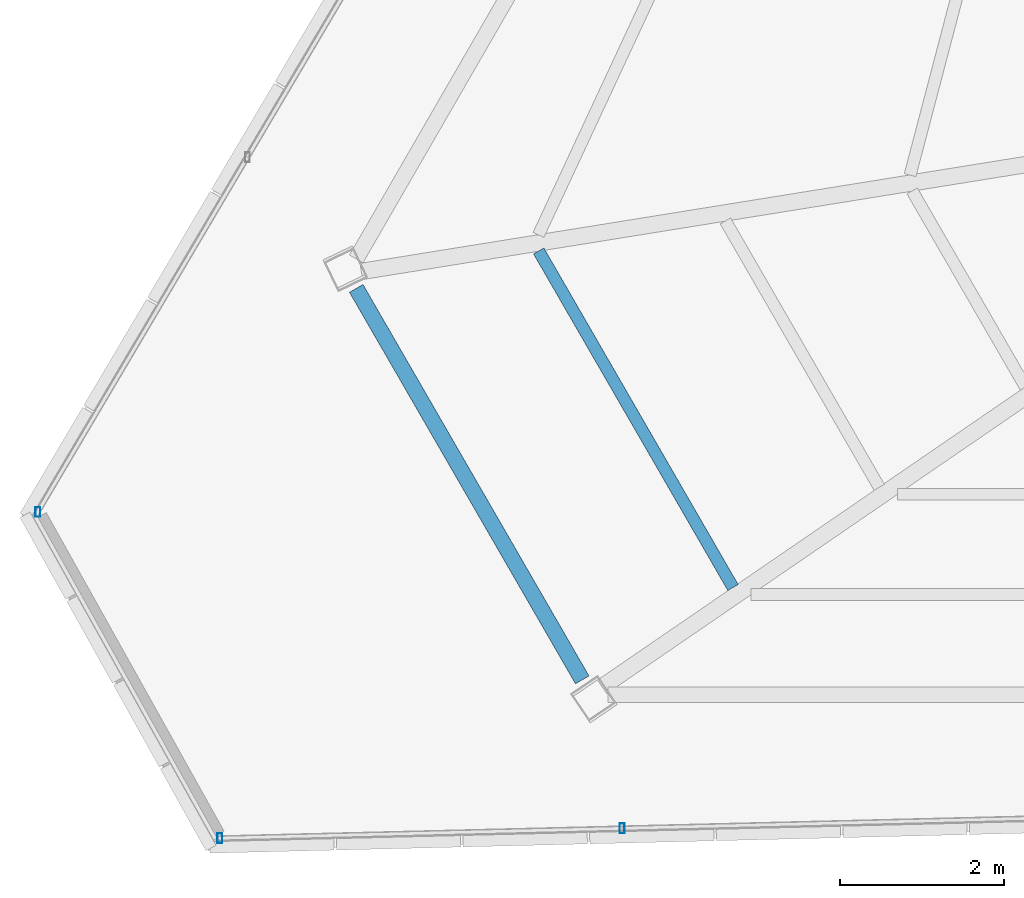
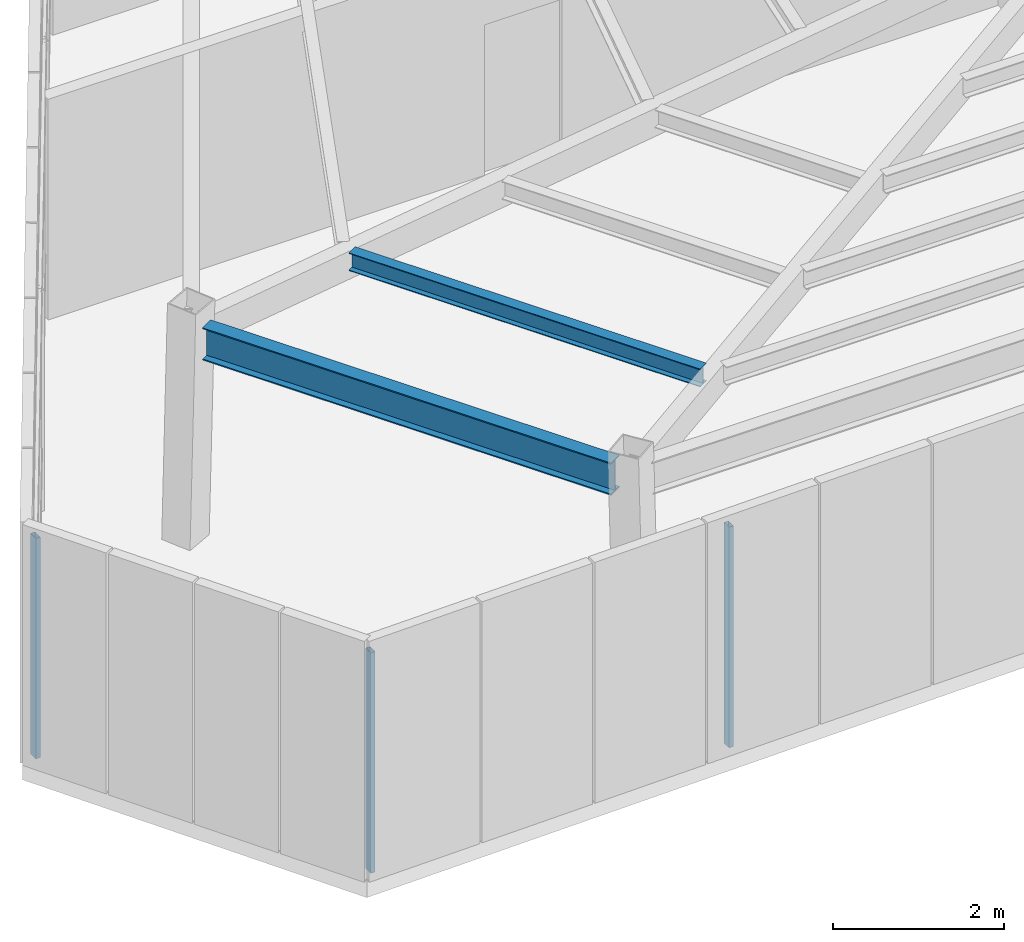
# One storey, part 3 of 44: 3 members, 2 beams, 2 elements without a shape of their own.
"""IFC4 building model written with IfcOpenShell, lengths in metres."""

import ifcopenshell
import ifcopenshell.guid

model = None  # the IFC model being written
_history = None  # IfcOwnerHistory: only IFC2X3 demands one
_inside = {}  # id of a spatial element -> (the spatial element, [elements in it])
_under = {}  # id of a project, library or spatial element -> (it, [spatial elements below it])
_declared = {}  # id of a project -> (the project, [libraries it declares])
_typed = {}  # id of a type object -> (the type object, [elements of that type])
_made_of = {}  # id of a material, layer set ... -> (it, [elements and type objects made of it])


def new_model(schema):
    """Start an empty IFC model of exactly this schema.

    Asked for "IFC4X3", IfcOpenShell would pick the latest addendum, in which some entities
    have other attributes; the version numbers below select the first issue.
    IFC2X3 requires an IfcOwnerHistory on every rooted entity: one is made here for all.
    """
    global model, _history
    if schema == "IFC4X3":
        model = ifcopenshell.file(schema_version=(4, 3, 0, 0))
    else:
        model = ifcopenshell.file(schema=schema)
    _inside.clear()
    _under.clear()
    _declared.clear()
    _typed.clear()
    _made_of.clear()
    _history = None
    if model.schema == "IFC2X3":
        org = make("IfcOrganization", Name="unknown")
        user = make(
            "IfcPersonAndOrganization",
            ThePerson=make("IfcPerson", FamilyName="unknown"),
            TheOrganization=org,
        )
        app = make(
            "IfcApplication",
            ApplicationDeveloper=org,
            Version="unknown",
            ApplicationFullName="unknown",
            ApplicationIdentifier="unknown",
        )
        _history = make(
            "IfcOwnerHistory",
            OwningUser=user,
            OwningApplication=app,
            ChangeAction="ADDED",
            CreationDate=0,
        )
    return model


def make(cls, **values):
    """One entity of the class cls with the attributes given. An attribute that is None is left unset."""
    return model.create_entity(
        cls, **{name: value for name, value in values.items() if value is not None}
    )


def rooted(cls, **values):
    """An entity with a GlobalId (a new one), such as an element, a storey or a relation."""
    return make(cls, GlobalId=ifcopenshell.guid.new(), OwnerHistory=_history, **values)


def si_unit(unit_type, name, prefix=None):
    """IfcSIUnit, for example si_unit("LENGTHUNIT", "METRE", prefix="MILLI")."""
    return make("IfcSIUnit", UnitType=unit_type, Prefix=prefix, Name=name)


def assignment(units):
    """IfcUnitAssignment: the units of a project."""
    return None if units is None else make("IfcUnitAssignment", Units=units)


def point(xyz):
    """IfcCartesianPoint."""
    return None if xyz is None else make("IfcCartesianPoint", Coordinates=xyz)


def direction(xyz):
    """IfcDirection."""
    return None if xyz is None else make("IfcDirection", DirectionRatios=xyz)


def frame(location, z_axis=None, x_axis=None):
    """IfcAxis2Placement3D, a coordinate frame: its origin and axes. An axis left out is left unset."""
    return make(
        "IfcAxis2Placement3D",
        Location=point(location),
        Axis=direction(z_axis),
        RefDirection=direction(x_axis),
    )


def frame_2d(location, x_axis=None):
    """IfcAxis2Placement2D, a coordinate frame in the plane: its origin and x axis."""
    return make(
        "IfcAxis2Placement2D", Location=point(location), RefDirection=direction(x_axis)
    )


def origin():
    """The frame at (0, 0, 0) with its axes left unset."""
    return frame((0.0, 0.0, 0.0))


def origin_2d():
    """The frame at (0, 0) in the plane with its x axis left unset."""
    return frame_2d((0.0, 0.0))


def place(relative_to, where):
    """IfcLocalPlacement: puts the frame where relative to a parent placement (None: the world)."""
    return make(
        "IfcLocalPlacement", PlacementRelTo=relative_to, RelativePlacement=where
    )


def context(
    kind, dimensions, precision=None, world=None, true_north=None, identifier=None
):
    """IfcGeometricRepresentationContext, for example the 3D "Model" context."""
    return make(
        "IfcGeometricRepresentationContext",
        ContextIdentifier=identifier,
        ContextType=kind,
        CoordinateSpaceDimension=dimensions,
        Precision=precision,
        WorldCoordinateSystem=world,
        TrueNorth=true_north,
    )


def subcontext(parent, identifier, kind, view, scale=None):
    """IfcGeometricRepresentationSubContext, for example "Body" below "Model"."""
    return make(
        "IfcGeometricRepresentationSubContext",
        ContextIdentifier=identifier,
        ContextType=kind,
        ParentContext=parent,
        TargetScale=scale,
        TargetView=view,
    )


def project(units=None, contexts=None):
    """IfcProject with its units and contexts."""
    return rooted(
        "IfcProject",
        Name="project",
        RepresentationContexts=contexts,
        UnitsInContext=assignment(units),
    )


def spatial(cls, under=None, at=None, **own):
    """A site, building, storey or space (cls), placed at a placement, below another one or the project."""
    s = rooted(cls, ObjectPlacement=at, **own)
    if under is not None:
        _under.setdefault(under.id(), (under, []))[1].append(s)
    return s


def profile(cls, at=None, kind="AREA", **sizes):
    """A parametric profile (cls). Its sizes go by their IFC names, for example OverallWidth=200.0."""
    return make(cls, ProfileType=kind, Position=at, **sizes)


def hollow_rectangle(**sizes):
    """IfcRectangleHollowProfileDef."""
    return profile("IfcRectangleHollowProfileDef", **sizes)


def i_section(**sizes):
    """IfcIShapeProfileDef."""
    return profile("IfcIShapeProfileDef", **sizes)


def extrude(swept, where, along, depth):
    """IfcExtrudedAreaSolid: the profile swept, set in the frame where, extruded along a direction by depth."""
    return make(
        "IfcExtrudedAreaSolid",
        SweptArea=swept,
        Position=where,
        ExtrudedDirection=direction(along),
        Depth=depth,
    )


def shape(context_of_items, identifier, shape_type, items):
    """IfcShapeRepresentation: the items that make up one representation, for example the "Body"."""
    return make(
        "IfcShapeRepresentation",
        ContextOfItems=context_of_items,
        RepresentationIdentifier=identifier,
        RepresentationType=shape_type,
        Items=items,
    )


def source(mapping_origin, context_of_items, identifier, shape_type, items):
    """IfcRepresentationMap: a shape defined once, which mapped items show again and again."""
    return make(
        "IfcRepresentationMap",
        MappingOrigin=mapping_origin,
        MappedRepresentation=shape(context_of_items, identifier, shape_type, items),
    )


def transform(
    local_origin,
    x_axis=None,
    y_axis=None,
    z_axis=None,
    scale=None,
    scale2=None,
    scale3=None,
    uniform=True,
):
    """IfcCartesianTransformationOperator3D, or its non-uniform kind. x_axis, y_axis, z_axis: its Axis1, 2, 3."""
    if uniform:
        return make(
            "IfcCartesianTransformationOperator3D",
            Axis1=direction(x_axis),
            Axis2=direction(y_axis),
            LocalOrigin=point(local_origin),
            Scale=scale,
            Axis3=direction(z_axis),
        )
    return make(
        "IfcCartesianTransformationOperator3DnonUniform",
        Axis1=direction(x_axis),
        Axis2=direction(y_axis),
        LocalOrigin=point(local_origin),
        Scale=scale,
        Axis3=direction(z_axis),
        Scale2=scale2,
        Scale3=scale3,
    )


def mapped(mapping_source, mapping_target):
    """IfcMappedItem: shows the shape of a source again, moved by a transform."""
    return make(
        "IfcMappedItem", MappingSource=mapping_source, MappingTarget=mapping_target
    )


def material(Name=None, Category=None):
    """IfcMaterial."""
    return make("IfcMaterial", Name=Name, Category=Category)


def material_profile(
    of_material, cross_section, Name=None, Category=None, Priority=None
):
    """IfcMaterialProfile: a cross section and its material."""
    return make(
        "IfcMaterialProfile",
        Name=Name,
        Material=of_material,
        Profile=cross_section,
        Priority=Priority,
        Category=Category,
    )


def profile_set(profiles, Name=None, composite=None):
    """IfcMaterialProfileSet."""
    return make(
        "IfcMaterialProfileSet",
        Name=Name,
        MaterialProfiles=profiles,
        CompositeProfile=composite,
    )


def made_of(thing, what):
    """Note that an element or type object is made of a material, layer set ...; save() writes the relation."""
    if what is not None:
        _made_of.setdefault(what.id(), (what, []))[1].append(thing)
    return thing


def type_object(cls, material=None, **own):
    """A type object (cls), such as IfcWallType, which elements share."""
    return made_of(rooted(cls, **own), material)


def type_shapes(of_type, sources):
    """Give a type object the sources (RepresentationMaps) that its elements show as mapped items."""
    of_type.RepresentationMaps = sources


def element(
    cls,
    number,
    at=None,
    inside=None,
    cuts=None,
    type_object=None,
    material=None,
    context=None,
    identifier="Body",
    shape_type=None,
    held_by="IfcProductDefinitionShape",
    body=None,
    shapes=None,
    **own,
):
    """One element of the class cls, such as IfcWall. Its Tag is "e" and its number.

    at: its placement. inside: the storey or other place that contains it. cuts: it is an
    opening in that element (IfcRelVoidsElement). A single representation is given by context,
    identifier, shape_type and body (its items); several are given by shapes. held_by: the class
    of the entity that holds the representations. save() writes the other relations.
    """
    e = rooted(cls, Tag="e%d" % number, ObjectPlacement=at, **own)
    if body is not None:
        shapes = [shape(context, identifier, shape_type, body)]
    if shapes is not None:
        e.Representation = make(held_by, Representations=shapes)
    if inside is not None:
        _inside.setdefault(inside.id(), (inside, []))[1].append(e)
    if cuts is not None:
        rooted(
            "IfcRelVoidsElement", RelatingBuildingElement=cuts, RelatedOpeningElement=e
        )
    if type_object is not None:
        _typed.setdefault(type_object.id(), (type_object, []))[1].append(e)
    return made_of(e, material)


def aggregate(whole, parts):
    """IfcRelAggregates: a whole, such as a stair, and the parts it consists of."""
    return rooted("IfcRelAggregates", RelatingObject=whole, RelatedObjects=parts)


def save(model, path):
    """Write the relations noted so far, then the file.

    IfcRelAggregates (storeys below a building ...), IfcRelContainedInSpatialStructure (elements
    in a storey), IfcRelDefinesByType, IfcRelAssociatesMaterial and IfcRelDeclares: one each for
    every whole, place, type object, material and project.
    """
    for whole, parts in _under.values():
        aggregate(whole, parts)
    for where, things in _inside.values():
        rooted(
            "IfcRelContainedInSpatialStructure",
            RelatedElements=things,
            RelatingStructure=where,
        )
    for kind, things in _typed.values():
        rooted("IfcRelDefinesByType", RelatedObjects=things, RelatingType=kind)
    for what, things in _made_of.values():
        rooted("IfcRelAssociatesMaterial", RelatedObjects=things, RelatingMaterial=what)
    for by, libraries in _declared.values():
        rooted("IfcRelDeclares", RelatingContext=by, RelatedDefinitions=libraries)
    model.write(path)


model = new_model("IFC4")

# Units and contexts
model_context = context("Model", 3, precision=1e-05, world=origin(), true_north=direction((0.0, 1.0)))
body_context = subcontext(model_context, "Body", "Model", "MODEL_VIEW")
ifc_project = project(units=[si_unit("LENGTHUNIT", "METRE"), si_unit("AREAUNIT", "SQUARE_METRE"), si_unit("VOLUMEUNIT", "CUBIC_METRE"), si_unit("PLANEANGLEUNIT", "RADIAN"), si_unit("MASSUNIT", "GRAM", prefix="KILO")], contexts=[model_context])

# Site, building, storey
site_placement = place(None, origin())
site = spatial("IfcSite", under=ifc_project, at=site_placement, CompositionType="ELEMENT")
building_placement = place(site_placement, origin())
building = spatial("IfcBuilding", under=site, at=building_placement, Name="Caelisora Broadcast Tower", CompositionType="ELEMENT")
storey_placement = place(building_placement, frame((0.0, 0.0, 289.800048828125)))
storey = spatial("IfcBuildingStorey", under=building, at=storey_placement, Name="L76", CompositionType="ELEMENT", Elevation=289.800048828125)

# Beams
ifc_material_1 = material(Name="Steel Grade 350 (AS/NZS 3679.1)", Category="steel")
ifc_material_profile_1 = material_profile(ifc_material_1, i_section(OverallWidth=0.19091796875, OverallDepth=0.46044921875, WebThickness=0.010009765625, FlangeThickness=0.01611328125, at=origin_2d()), Name="Steel Grade 350 (AS/NZS 3679.1)")
ifc_profile_set_1 = profile_set([ifc_material_profile_1], Name="Steel Grade 350 (AS/NZS 3679.1)")
beam_type_1 = type_object("IfcBeamType", Name="PG06", PredefinedType="BEAM", material=ifc_profile_set_1)
shared_shape_1 = source(origin(), body_context, "Body", "SweptSolid", [
    extrude(i_section(OverallWidth=0.19091796875, OverallDepth=0.46044921875, WebThickness=0.010009765625, FlangeThickness=0.01611328125, at=origin_2d()), origin(), (0.0, 0.0, 1.0), 5.517822265625),
])
type_shapes(beam_type_1, [shared_shape_1])
beam_1_placement = place(storey_placement, frame((16.927490234375, 15.01953125, 2.919677734375), z_axis=(0.500017361172, -0.866015380075, 0.0), x_axis=(0.866015380075, 0.500017361172, 0.0)))
element("IfcBeam", 1, at=beam_1_placement, inside=storey, type_object=beam_type_1, Name="L76 beam PG06", PredefinedType="BEAM", context=body_context, shape_type="MappedRepresentation", body=[
    mapped(shared_shape_1, transform((0.0, 0.0, 0.0), scale=1.0)),
])
ifc_material_profile_2 = material_profile(ifc_material_1, i_section(OverallWidth=0.14599609375, OverallDepth=0.256103515625, WebThickness=0.00634765625, FlangeThickness=0.010986328125, at=origin_2d()), Name="Steel Grade 350 (AS/NZS 3679.1)")
ifc_profile_set_2 = profile_set([ifc_material_profile_2], Name="Steel Grade 350 (AS/NZS 3679.1)")
beam_type_2 = type_object("IfcBeamType", Name="SB04", PredefinedType="JOIST", material=ifc_profile_set_2)
shared_shape_2 = source(origin(), body_context, "Body", "SweptSolid", [
    extrude(i_section(OverallWidth=0.14599609375, OverallDepth=0.256103515625, WebThickness=0.00634765625, FlangeThickness=0.010986328125, at=origin_2d()), origin(), (0.0, 0.0, 1.0), 4.743408203125),
])
type_shapes(beam_type_2, [shared_shape_2])
beam_2_placement = place(storey_placement, frame((19.155029296875, 15.476318359375, 3.02197265625), z_axis=(0.500019469389, -0.866014162835, 0.0), x_axis=(0.866014162835, 0.500019469389, 0.0)))
element("IfcBeam", 2, at=beam_2_placement, inside=storey, type_object=beam_type_2, Name="L76 beam SB04", PredefinedType="JOIST", context=body_context, shape_type="MappedRepresentation", body=[
    mapped(shared_shape_2, transform((0.0, 0.0, 0.0), scale=1.0)),
])

# Curtain wall, members
ifc_material_2 = material(Name="Unitised Aluminium Insulated Shadow-Box Spandrel Curtain Wall", Category="aluminium")
curtain_wall_type = type_object("IfcCurtainWallType", Name="CW-SP3", PredefinedType="NOTDEFINED", material=ifc_material_2)
curtain_wall_1_placement = place(storey_placement, origin())
curtain_wall_1 = element("IfcCurtainWall", 3, at=curtain_wall_1_placement, inside=storey, type_object=curtain_wall_type, Name="L76 curtain wall CW-SP3", PredefinedType="NOTDEFINED")
ifc_material_3 = material(Name="Aluminium 6063-T6 Anodised Terracotta Bronze", Category="aluminium")
ifc_material_profile_3 = material_profile(ifc_material_3, hollow_rectangle(XDim=0.06005859375, YDim=0.1201171875, WallThickness=0.0029296875, at=origin_2d()), Name="Aluminium 6063-T6 Anodised Terracotta Bronze")
ifc_profile_set_3 = profile_set([ifc_material_profile_3], Name="Aluminium 6063-T6 Anodised Terracotta Bronze")
member_type = type_object("IfcMemberType", Name="CWM-04", PredefinedType="MULLION", material=ifc_profile_set_3)
shared_shape_3 = source(origin(), body_context, "Body", "SweptSolid", [
    extrude(hollow_rectangle(XDim=0.06005859375, YDim=0.1201171875, WallThickness=0.0029296875, at=origin_2d()), origin(), (0.0, 0.0, 1.0), 3.14990234375),
])
type_shapes(member_type, [shared_shape_3])
member_1_placement = place(storey_placement, frame((20.173095703125, 8.4287109375, 0.0), z_axis=(0.0, 0.0, 1.0), x_axis=(1.0, 0.0, 0.0)))
member_1 = element("IfcMember", 4, at=member_1_placement, type_object=member_type, Name="L76-CW-B07 mullion #2", PredefinedType="MULLION", context=body_context, shape_type="MappedRepresentation", body=[
    mapped(shared_shape_3, transform((0.0, 0.0, 0.0), scale=1.0)),
])
member_2_placement = place(storey_placement, frame((15.263916015625, 8.30810546875, 0.0), z_axis=(0.0, 0.0, 1.0), x_axis=(1.0, 0.0, 0.0)))
member_2 = element("IfcMember", 5, at=member_2_placement, type_object=member_type, Name="L76-CW-B07 mullion #3", PredefinedType="MULLION", context=body_context, shape_type="MappedRepresentation", body=[
    mapped(shared_shape_3, transform((0.0, 0.0, 0.0), scale=1.0)),
])
aggregate(curtain_wall_1, [member_1, member_2])

# Curtain wall, member
curtain_wall_2_placement = place(storey_placement, origin())
curtain_wall_2 = element("IfcCurtainWall", 6, at=curtain_wall_2_placement, inside=storey, type_object=curtain_wall_type, Name="L76 curtain wall CW-SP3", PredefinedType="NOTDEFINED")
member_3_placement = place(storey_placement, frame((13.040283203125, 12.2900390625, 0.0), z_axis=(0.0, 0.0, 1.0), x_axis=(1.0, 0.0, 0.0)))
member_3 = element("IfcMember", 7, at=member_3_placement, type_object=member_type, Name="L76-CW-B09 mullion #0", PredefinedType="MULLION", context=body_context, shape_type="MappedRepresentation", body=[
    mapped(shared_shape_3, transform((0.0, 0.0, 0.0), scale=1.0)),
])
aggregate(curtain_wall_2, [member_3])

save(model, "model.ifc")
